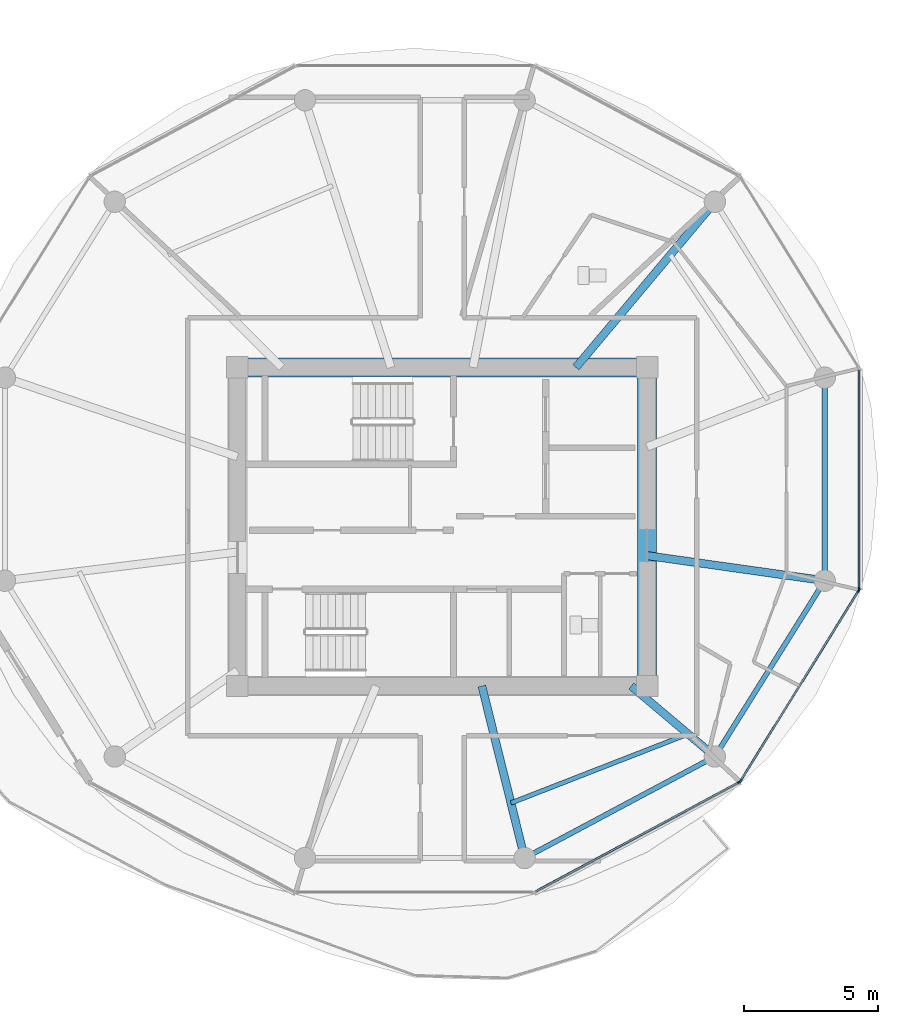
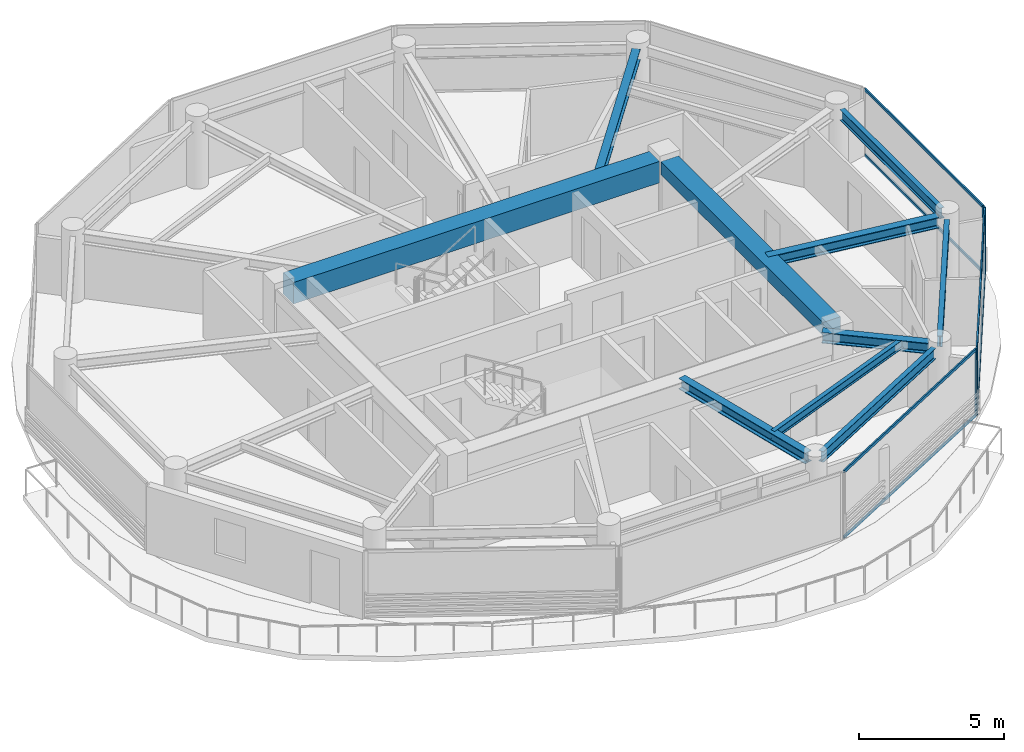
# One storey, part 9 of 21: 10 beams, 10 members, 3 elements without a shape of their own.
"""IFC4 building model written with IfcOpenShell, lengths in metres."""

from ifc_helpers import new_model, si_unit, direction, frame, origin, origin_2d, place, context, subcontext, project, spatial, rectangle, i_section, extrude, source, transform, mapped, material, layer, layer_set, material_profile, profile_set, type_object, type_shapes, element, aggregate, save


model = new_model("IFC4")

# Units and contexts
model_context = context("Model", 3, precision=1e-05, world=origin(), true_north=direction((0.0, 1.0)))
body_context = subcontext(model_context, "Body", "Model", "MODEL_VIEW")
ifc_project = project(units=[si_unit("LENGTHUNIT", "METRE"), si_unit("AREAUNIT", "SQUARE_METRE"), si_unit("VOLUMEUNIT", "CUBIC_METRE"), si_unit("PLANEANGLEUNIT", "RADIAN"), si_unit("MASSUNIT", "GRAM", prefix="KILO")], contexts=[model_context])

# Site, building, storey
site_placement = place(None, origin())
site = spatial("IfcSite", under=ifc_project, at=site_placement, CompositionType="ELEMENT")
building_placement = place(site_placement, origin())
building = spatial("IfcBuilding", under=site, at=building_placement, Name="Norrkilde Senior Care Towers", CompositionType="ELEMENT")
storey_placement = place(building_placement, frame((0.0, 0.0, 146.5)))
storey = spatial("IfcBuildingStorey", under=building, at=storey_placement, Name="L45", CompositionType="ELEMENT", Elevation=146.5)

# Beams
ifc_material_1 = material(Name="Concrete C60/75", Category="concrete")
ifc_material_profile_1 = material_profile(ifc_material_1, rectangle(XDim=0.699951171875, YDim=0.89990234375, at=origin_2d()), Name="RC BM 700x900")
ifc_profile_set_1 = profile_set([ifc_material_profile_1], Name="Concrete C60/75")
beam_type_1 = type_object("IfcBeamType", Name="Core Coupling Girder 700x900", PredefinedType="USERDEFINED", material=ifc_profile_set_1)
shared_shape_1 = source(origin(), body_context, "Body", "SweptSolid", [
    extrude(rectangle(XDim=0.699951171875, YDim=0.89990234375, at=origin_2d()), origin(), (0.0, 0.0, 1.0), 14.5400390625),
])
type_shapes(beam_type_1, [shared_shape_1])
beam_1_placement = place(storey_placement, frame((20.72998046875, 5.949951171875, 2.360107421875), z_axis=(1.0, 0.0, 0.0), x_axis=(0.0, 1.0, 0.0)))
element("IfcBeam", 1, at=beam_1_placement, inside=storey, type_object=beam_type_1, Name="L45 Core E N Coupling Girder", ObjectType="GIRDER", PredefinedType="USERDEFINED", context=body_context, shape_type="MappedRepresentation", body=[
    mapped(shared_shape_1, transform((0.0, 0.0, 0.0), x_axis=(1.0, 0.0, 0.0), y_axis=(0.0, 1.0, 0.0), z_axis=(0.0, 0.0, 1.0), scale=1.0)),
])
ifc_material_profile_2 = material_profile(ifc_material_1, rectangle(XDim=0.699951171875, YDim=0.550048828125, at=origin_2d()), Name="RC BM 700x550")
ifc_profile_set_2 = profile_set([ifc_material_profile_2], Name="Concrete C60/75")
beam_type_2 = type_object("IfcBeamType", Name="Core Portal Coupling Beam 700x550", PredefinedType="USERDEFINED", material=ifc_profile_set_2)
shared_shape_2 = source(origin(), body_context, "Body", "SweptSolid", [
    extrude(rectangle(XDim=0.699951171875, YDim=0.550048828125, at=origin_2d()), origin(), (0.0, 0.0, 1.0), 11.14013671875),
])
type_shapes(beam_type_2, [shared_shape_2])
beam_2_placement = place(storey_placement, frame((35.64990234375, -5.570068359375, 2.534912109375), z_axis=(0.0, 1.0, 0.0), x_axis=(-1.0, 0.0, 0.0)))
element("IfcBeam", 2, at=beam_2_placement, inside=storey, type_object=beam_type_2, Name="L45 Core E E Coupling Girder", ObjectType="GIRDER", PredefinedType="USERDEFINED", context=body_context, shape_type="MappedRepresentation", body=[
    mapped(shared_shape_2, transform((0.0, 0.0, 0.0), x_axis=(1.0, 0.0, 0.0), y_axis=(0.0, 1.0, 0.0), z_axis=(0.0, 0.0, 1.0), scale=1.0)),
])
ifc_material_2 = material(Name="Steel S355", Category="steel")
ifc_material_profile_3 = material_profile(ifc_material_2, i_section(OverallWidth=0.300048828125, OverallDepth=0.449951171875, WebThickness=0.013916015625, FlangeThickness=0.02587890625, FilletRadius=0.027099609375, at=origin_2d()), Name="HEB 450")
ifc_profile_set_3 = profile_set([ifc_material_profile_3], Name="Steel S355")
beam_type_3 = type_object("IfcBeamType", Name="Radial Floor Beam Z3 HEB450", PredefinedType="BEAM", material=ifc_profile_set_3)
shared_shape_3 = source(origin(), body_context, "Body", "SweptSolid", [
    extrude(i_section(OverallWidth=0.300048828125, OverallDepth=0.449951171875, WebThickness=0.013916015625, FlangeThickness=0.02587890625, FilletRadius=0.027099609375, at=origin_2d()), origin(), (0.0, 0.0, 1.0), 7.71337890625),
])
beam_3_placement = place(storey_placement, frame((32.992919921875, 5.949951171875, 2.5849609375), z_axis=(0.642808239864, 0.766027131872, 0.0), x_axis=(-0.766027131872, 0.642808239864, 0.0)))
element("IfcBeam", 3, at=beam_3_placement, inside=storey, type_object=beam_type_3, Name="L45 Drum E Radial Floor Beam 02", PredefinedType="BEAM", context=body_context, shape_type="MappedRepresentation", body=[
    mapped(shared_shape_3, transform((0.0, 0.0, 0.0), x_axis=(1.0, 0.0, 0.0), y_axis=(0.0, 1.0, 0.0), z_axis=(0.0, 0.0, 1.0), scale=1.0)),
])
ifc_material_profile_4 = material_profile(ifc_material_2, i_section(OverallWidth=0.18994140625, OverallDepth=0.449951171875, WebThickness=0.009521484375, FlangeThickness=0.0146484375, FilletRadius=0.02099609375, at=origin_2d()), Name="IPE 450")
ifc_profile_set_4 = profile_set([ifc_material_profile_4], Name="Steel S355")
beam_type_4 = type_object("IfcBeamType", Name="Perimeter Ring Spandrel Z3 IPE450", PredefinedType="SPANDREL", material=ifc_profile_set_4)
shared_shape_4 = source(origin(), body_context, "Body", "SweptSolid", [
    extrude(i_section(OverallWidth=0.18994140625, OverallDepth=0.449951171875, WebThickness=0.009521484375, FlangeThickness=0.0146484375, FilletRadius=0.02099609375, at=origin_2d()), origin(), (0.0, 0.0, 1.0), 6.86328125),
])
beam_4_placement = place(storey_placement, frame((42.284912109375, -1.65625, 2.5849609375), z_axis=(0.0, 1.0, 0.0), x_axis=(-1.0, 0.0, 0.0)))
element("IfcBeam", 4, at=beam_4_placement, inside=storey, type_object=beam_type_4, Name="L45 Drum E Perimeter Spandrel 12", PredefinedType="SPANDREL", context=body_context, shape_type="MappedRepresentation", body=[
    mapped(shared_shape_4, transform((0.0, 0.0, 0.0), x_axis=(1.0, 0.0, 0.0), y_axis=(0.0, 1.0, 0.0), z_axis=(0.0, 0.0, 1.0), scale=1.0)),
])
shared_shape_5 = source(origin(), body_context, "Body", "SweptSolid", [
    extrude(i_section(OverallWidth=0.18994140625, OverallDepth=0.449951171875, WebThickness=0.009521484375, FlangeThickness=0.0146484375, FilletRadius=0.02099609375, at=origin_2d()), origin(), (0.0, 0.0, 1.0), 7.023193359375),
])
beam_5_placement = place(storey_placement, frame((38.373291015625, -8.2783203125, 2.5849609375), z_axis=(0.529805197269, 0.848119362441, 0.0), x_axis=(-0.848119362441, 0.529805197269, 0.0)))
element("IfcBeam", 5, at=beam_5_placement, inside=storey, type_object=beam_type_4, Name="L45 Drum E Perimeter Spandrel 11", PredefinedType="SPANDREL", context=body_context, shape_type="MappedRepresentation", body=[
    mapped(shared_shape_5, transform((0.0, 0.0, 0.0), x_axis=(1.0, 0.0, 0.0), y_axis=(0.0, 1.0, 0.0), z_axis=(0.0, 0.0, 1.0), scale=1.0)),
])
shared_shape_6 = source(origin(), body_context, "Body", "SweptSolid", [
    extrude(i_section(OverallWidth=0.300048828125, OverallDepth=0.449951171875, WebThickness=0.013916015625, FlangeThickness=0.02587890625, FilletRadius=0.027099609375, at=origin_2d()), origin(), (0.0, 0.0, 1.0), 6.3408203125),
])
beam_6_placement = place(storey_placement, frame((35.64990234375, -1.079833984375, 2.5849609375), z_axis=(0.990184519576, -0.139766294905, 0.0), x_axis=(0.139766294905, 0.990184519576, 0.0)))
element("IfcBeam", 6, at=beam_6_placement, inside=storey, type_object=beam_type_3, Name="L45 Drum E Radial Floor Beam 12", PredefinedType="BEAM", context=body_context, shape_type="MappedRepresentation", body=[
    mapped(shared_shape_6, transform((0.0, 0.0, 0.0), x_axis=(1.0, 0.0, 0.0), y_axis=(0.0, 1.0, 0.0), z_axis=(0.0, 0.0, 1.0), scale=1.0)),
])
shared_shape_7 = source(origin(), body_context, "Body", "SweptSolid", [
    extrude(i_section(OverallWidth=0.18994140625, OverallDepth=0.449951171875, WebThickness=0.009521484375, FlangeThickness=0.0146484375, FilletRadius=0.02099609375, at=origin_2d()), origin(), (0.0, 0.0, 1.0), 7.333984375),
])
type_shapes(beam_type_4, [shared_shape_4, shared_shape_5, shared_shape_7])
beam_7_placement = place(storey_placement, frame((31.394775390625, -12.2060546875, 2.5849609375), z_axis=(0.882234038987, 0.470811109101, 0.0), x_axis=(-0.470811109101, 0.882234038987, 0.0)))
element("IfcBeam", 7, at=beam_7_placement, inside=storey, type_object=beam_type_4, Name="L45 Drum E Perimeter Spandrel 10", PredefinedType="SPANDREL", context=body_context, shape_type="MappedRepresentation", body=[
    mapped(shared_shape_7, transform((0.0, 0.0, 0.0), x_axis=(1.0, 0.0, 0.0), y_axis=(0.0, 1.0, 0.0), z_axis=(0.0, 0.0, 1.0), scale=1.0)),
])
shared_shape_8 = source(origin(), body_context, "Body", "SweptSolid", [
    extrude(i_section(OverallWidth=0.300048828125, OverallDepth=0.449951171875, WebThickness=0.013916015625, FlangeThickness=0.02587890625, FilletRadius=0.027099609375, at=origin_2d()), origin(), (0.0, 0.0, 1.0), 3.7265625),
])
beam_8_placement = place(storey_placement, frame((35.058349609375, -5.949951171875, 2.5849609375), z_axis=(0.764567902106, -0.644543189453, 0.0), x_axis=(0.644543189453, 0.764567902106, 0.0)))
element("IfcBeam", 8, at=beam_8_placement, inside=storey, type_object=beam_type_3, Name="L45 Drum E Radial Floor Beam 11", PredefinedType="BEAM", context=body_context, shape_type="MappedRepresentation", body=[
    mapped(shared_shape_8, transform((0.0, 0.0, 0.0), x_axis=(1.0, 0.0, 0.0), y_axis=(0.0, 1.0, 0.0), z_axis=(0.0, 0.0, 1.0), scale=1.0)),
])
shared_shape_9 = source(origin(), body_context, "Body", "SweptSolid", [
    extrude(i_section(OverallWidth=0.300048828125, OverallDepth=0.449951171875, WebThickness=0.013916015625, FlangeThickness=0.02587890625, FilletRadius=0.027099609375, at=origin_2d()), origin(), (0.0, 0.0, 1.0), 6.26123046875),
])
type_shapes(beam_type_3, [shared_shape_3, shared_shape_6, shared_shape_8, shared_shape_9])
beam_9_placement = place(storey_placement, frame((29.4794921875, -5.949951171875, 2.5849609375), z_axis=(0.241324375921, -0.970444509277, 0.0), x_axis=(0.970444509277, 0.241324375921, 0.0)))
element("IfcBeam", 9, at=beam_9_placement, inside=storey, type_object=beam_type_3, Name="L45 Drum E Radial Floor Beam 10", PredefinedType="BEAM", context=body_context, shape_type="MappedRepresentation", body=[
    mapped(shared_shape_9, transform((0.0, 0.0, 0.0), x_axis=(1.0, 0.0, 0.0), y_axis=(0.0, 1.0, 0.0), z_axis=(0.0, 0.0, 1.0), scale=1.0)),
])
ifc_material_profile_5 = material_profile(ifc_material_2, i_section(OverallWidth=0.169921875, OverallDepth=0.360107421875, WebThickness=0.008056640625, FlangeThickness=0.0126953125, FilletRadius=0.01806640625, at=origin_2d()), Name="IPE 360")
ifc_profile_set_5 = profile_set([ifc_material_profile_5], Name="Steel S355")
beam_type_5 = type_object("IfcBeamType", Name="Secondary Floor Joist IPE360", PredefinedType="JOIST", material=ifc_profile_set_5)
shared_shape_10 = source(origin(), body_context, "Body", "SweptSolid", [
    extrude(i_section(OverallWidth=0.169921875, OverallDepth=0.360107421875, WebThickness=0.008056640625, FlangeThickness=0.0126953125, FilletRadius=0.01806640625, at=origin_2d()), origin(), (0.0, 0.0, 1.0), 7.1015625),
])
type_shapes(beam_type_5, [shared_shape_10])
beam_10_placement = place(storey_placement, frame((30.56591796875, -10.3193359375, 2.6298828125), z_axis=(0.931761231292, 0.363071629106, 0.0), x_axis=(-0.363071629106, 0.931761231292, 0.0)))
element("IfcBeam", 10, at=beam_10_placement, inside=storey, type_object=beam_type_5, Name="L45 Drum E Secondary Floor Joist 4", PredefinedType="JOIST", context=body_context, shape_type="MappedRepresentation", body=[
    mapped(shared_shape_10, transform((0.0, 0.0, 0.0), x_axis=(1.0, 0.0, 0.0), y_axis=(0.0, 1.0, 0.0), z_axis=(0.0, 0.0, 1.0), scale=1.0)),
])

# Curtain wall, member
ifc_material_3 = material(Name="Triple Low-E Insulated Glazing", Category="glass")
ifc_layer = layer(ifc_material_3, 0.18994140625)
ifc_layer_set = layer_set([ifc_layer], Name="Triple Low-E Insulated Glazing")
curtain_wall_type = type_object("IfcCurtainWallType", Name="CW4 Zone 3 Senior Residence Curtain Wall", PredefinedType="NOTDEFINED", material=ifc_layer_set)
curtain_wall_1_placement = place(storey_placement, origin())
curtain_wall_1 = element("IfcCurtainWall", 11, at=curtain_wall_1_placement, inside=storey, type_object=curtain_wall_type, Name="L45 Drum E Curtain Wall 09", PredefinedType="NOTDEFINED")
ifc_material_4 = material(Name="Anodised Aluminium", Category="aluminium")
ifc_material_profile_6 = material_profile(ifc_material_4, rectangle(XDim=0.06494140625, YDim=0.14990234375, at=origin_2d()), Name="ALU MULL 65x150")
ifc_profile_set_6 = profile_set([ifc_material_profile_6], Name="Anodised Aluminium")
member_type_1 = type_object("IfcMemberType", Name="Curtain Wall Mullion Z3-Z4 65x150", PredefinedType="MULLION", material=ifc_profile_set_6)
shared_shape_11 = source(origin(), body_context, "Body", "SweptSolid", [
    extrude(rectangle(XDim=0.06494140625, YDim=0.14990234375, at=origin_2d()), origin(), (0.0, 0.0, 1.0), 2.81005859375),
])
type_shapes(member_type_1, [shared_shape_11])
member_1_placement = place(storey_placement, frame((39.094482421875, -9.53955078125, 0.0), z_axis=(0.0, 0.0, 1.0), x_axis=(0.47311715104, -0.880999524059, 0.0)))
member_1 = element("IfcMember", 12, at=member_1_placement, type_object=member_type_1, Name="CW-4 mullion 1", PredefinedType="MULLION", context=body_context, shape_type="MappedRepresentation", body=[
    mapped(shared_shape_11, transform((0.0, 0.0, 0.0), x_axis=(1.0, 0.0, 0.0), y_axis=(0.0, 1.0, 0.0), z_axis=(0.0, 0.0, 1.0), scale=1.0)),
])

# Curtain wall, members
curtain_wall_2_placement = place(storey_placement, origin())
curtain_wall_2 = element("IfcCurtainWall", 13, at=curtain_wall_2_placement, inside=storey, type_object=curtain_wall_type, Name="L45 Drum E Curtain Wall 10", PredefinedType="NOTDEFINED")
member_2_placement = place(storey_placement, frame((43.552490234375, -2.38818359375, 0.0), z_axis=(0.0, 0.0, 1.0), x_axis=(0.84963405474, -0.52737270789, 0.0)))
member_2 = element("IfcMember", 14, at=member_2_placement, type_object=member_type_1, Name="CW-4 mullion 1", PredefinedType="MULLION", context=body_context, shape_type="MappedRepresentation", body=[
    mapped(shared_shape_11, transform((0.0, 0.0, 0.0), x_axis=(1.0, 0.0, 0.0), y_axis=(0.0, 1.0, 0.0), z_axis=(0.0, 0.0, 1.0), scale=1.0)),
])
member_3_placement = place(storey_placement, frame((39.14013671875, -9.49658203125, 0.0), z_axis=(0.0, 0.0, 1.0), x_axis=(0.84963405474, -0.52737270789, 0.0)))
member_3 = element("IfcMember", 15, at=member_3_placement, type_object=member_type_1, Name="CW-4 mullion 2", PredefinedType="MULLION", context=body_context, shape_type="MappedRepresentation", body=[
    mapped(shared_shape_11, transform((0.0, 0.0, 0.0), x_axis=(1.0, 0.0, 0.0), y_axis=(0.0, 1.0, 0.0), z_axis=(0.0, 0.0, 1.0), scale=1.0)),
])

# Curtain wall, member
curtain_wall_3_placement = place(storey_placement, origin())
curtain_wall_3 = element("IfcCurtainWall", 16, at=curtain_wall_3_placement, inside=storey, type_object=curtain_wall_type, Name="L45 Drum E Curtain Wall 11", PredefinedType="NOTDEFINED")
member_4_placement = place(storey_placement, frame((43.569580078125, -2.328125, 0.0), z_axis=(0.0, 0.0, 1.0), x_axis=(1.0, 0.0, 0.0)))
member_4 = element("IfcMember", 17, at=member_4_placement, type_object=member_type_1, Name="CW-4 mullion 2", PredefinedType="MULLION", context=body_context, shape_type="MappedRepresentation", body=[
    mapped(shared_shape_11, transform((0.0, 0.0, 0.0), x_axis=(1.0, 0.0, 0.0), y_axis=(0.0, 1.0, 0.0), z_axis=(0.0, 0.0, 1.0), scale=1.0)),
])

# Member
ifc_material_profile_7 = material_profile(ifc_material_4, rectangle(XDim=0.06005859375, YDim=0.1201171875, at=origin_2d()), Name="ALU TRAN 60x120")
ifc_profile_set_7 = profile_set([ifc_material_profile_7], Name="Anodised Aluminium")
member_type_2 = type_object("IfcMemberType", Name="Curtain Wall Transom Typical 60x120", PredefinedType="USERDEFINED", material=ifc_profile_set_7)
shared_shape_12 = source(origin(), body_context, "Body", "SweptSolid", [
    extrude(rectangle(XDim=0.06005859375, YDim=0.1201171875, at=origin_2d()), origin(), (0.0, 0.0, 1.0), 8.301513671875),
])
member_5_placement = place(storey_placement, frame((43.535400390625, -2.415771484375, 0.030029296875), z_axis=(-0.527368718394, -0.849636531029, 0.0), x_axis=(0.849636531029, -0.527368718394, 0.0)))
member_5 = element("IfcMember", 18, at=member_5_placement, type_object=member_type_2, Name="CW-4 transom 1.1", ObjectType="TRANSOM", PredefinedType="USERDEFINED", context=body_context, shape_type="MappedRepresentation", body=[
    mapped(shared_shape_12, transform((0.0, 0.0, 0.0), x_axis=(1.0, 0.0, 0.0), y_axis=(0.0, 1.0, 0.0), z_axis=(0.0, 0.0, 1.0), scale=1.0)),
])

member_6_placement = place(storey_placement, frame((43.535400390625, -2.415771484375, 2.780029296875), z_axis=(-0.527368718394, -0.849636531029, 0.0), x_axis=(0.849636531029, -0.527368718394, 0.0)))
member_6 = element("IfcMember", 19, at=member_6_placement, type_object=member_type_2, Name="CW-4 transom 1.2", ObjectType="TRANSOM", PredefinedType="USERDEFINED", context=body_context, shape_type="MappedRepresentation", body=[
    mapped(shared_shape_12, transform((0.0, 0.0, 0.0), x_axis=(1.0, 0.0, 0.0), y_axis=(0.0, 1.0, 0.0), z_axis=(0.0, 0.0, 1.0), scale=1.0)),
])

aggregate(curtain_wall_2, [member_2, member_3, member_5, member_6])

shared_shape_13 = source(origin(), body_context, "Body", "SweptSolid", [
    extrude(rectangle(XDim=0.06005859375, YDim=0.1201171875, at=origin_2d()), origin(), (0.0, 0.0, 1.0), 8.612060546875),
])
member_7_placement = place(storey_placement, frame((39.06591796875, -9.554931640625, 0.030029296875), z_axis=(-0.881000337462, -0.473115636384, 0.0), x_axis=(0.473115636384, -0.881000337462, 0.0)))
member_7 = element("IfcMember", 20, at=member_7_placement, type_object=member_type_2, Name="CW-4 transom 1.1", ObjectType="TRANSOM", PredefinedType="USERDEFINED", context=body_context, shape_type="MappedRepresentation", body=[
    mapped(shared_shape_13, transform((0.0, 0.0, 0.0), x_axis=(1.0, 0.0, 0.0), y_axis=(0.0, 1.0, 0.0), z_axis=(0.0, 0.0, 1.0), scale=1.0)),
])

member_8_placement = place(storey_placement, frame((39.06591796875, -9.554931640625, 2.780029296875), z_axis=(-0.881000337462, -0.473115636384, 0.0), x_axis=(0.473115636384, -0.881000337462, 0.0)))
member_8 = element("IfcMember", 21, at=member_8_placement, type_object=member_type_2, Name="CW-4 transom 1.2", ObjectType="TRANSOM", PredefinedType="USERDEFINED", context=body_context, shape_type="MappedRepresentation", body=[
    mapped(shared_shape_13, transform((0.0, 0.0, 0.0), x_axis=(1.0, 0.0, 0.0), y_axis=(0.0, 1.0, 0.0), z_axis=(0.0, 0.0, 1.0), scale=1.0)),
])

aggregate(curtain_wall_1, [member_1, member_7, member_8])

shared_shape_14 = source(origin(), body_context, "Body", "SweptSolid", [
    extrude(rectangle(XDim=0.06005859375, YDim=0.1201171875, at=origin_2d()), origin(), (0.0, 0.0, 1.0), 8.141845703125),
])
type_shapes(member_type_2, [shared_shape_12, shared_shape_13, shared_shape_14])
member_9_placement = place(storey_placement, frame((43.569580078125, 5.84619140625, 0.030029296875), z_axis=(0.0, -1.0, 0.0), x_axis=(1.0, 0.0, 0.0)))
member_9 = element("IfcMember", 22, at=member_9_placement, type_object=member_type_2, Name="CW-4 transom 1.1", ObjectType="TRANSOM", PredefinedType="USERDEFINED", context=body_context, shape_type="MappedRepresentation", body=[
    mapped(shared_shape_14, transform((0.0, 0.0, 0.0), x_axis=(1.0, 0.0, 0.0), y_axis=(0.0, 1.0, 0.0), z_axis=(0.0, 0.0, 1.0), scale=1.0)),
])

member_10_placement = place(storey_placement, frame((43.569580078125, 5.84619140625, 2.780029296875), z_axis=(0.0, -1.0, 0.0), x_axis=(1.0, 0.0, 0.0)))
member_10 = element("IfcMember", 23, at=member_10_placement, type_object=member_type_2, Name="CW-4 transom 1.2", ObjectType="TRANSOM", PredefinedType="USERDEFINED", context=body_context, shape_type="MappedRepresentation", body=[
    mapped(shared_shape_14, transform((0.0, 0.0, 0.0), x_axis=(1.0, 0.0, 0.0), y_axis=(0.0, 1.0, 0.0), z_axis=(0.0, 0.0, 1.0), scale=1.0)),
])

aggregate(curtain_wall_3, [member_4, member_9, member_10])

save(model, "model.ifc")
